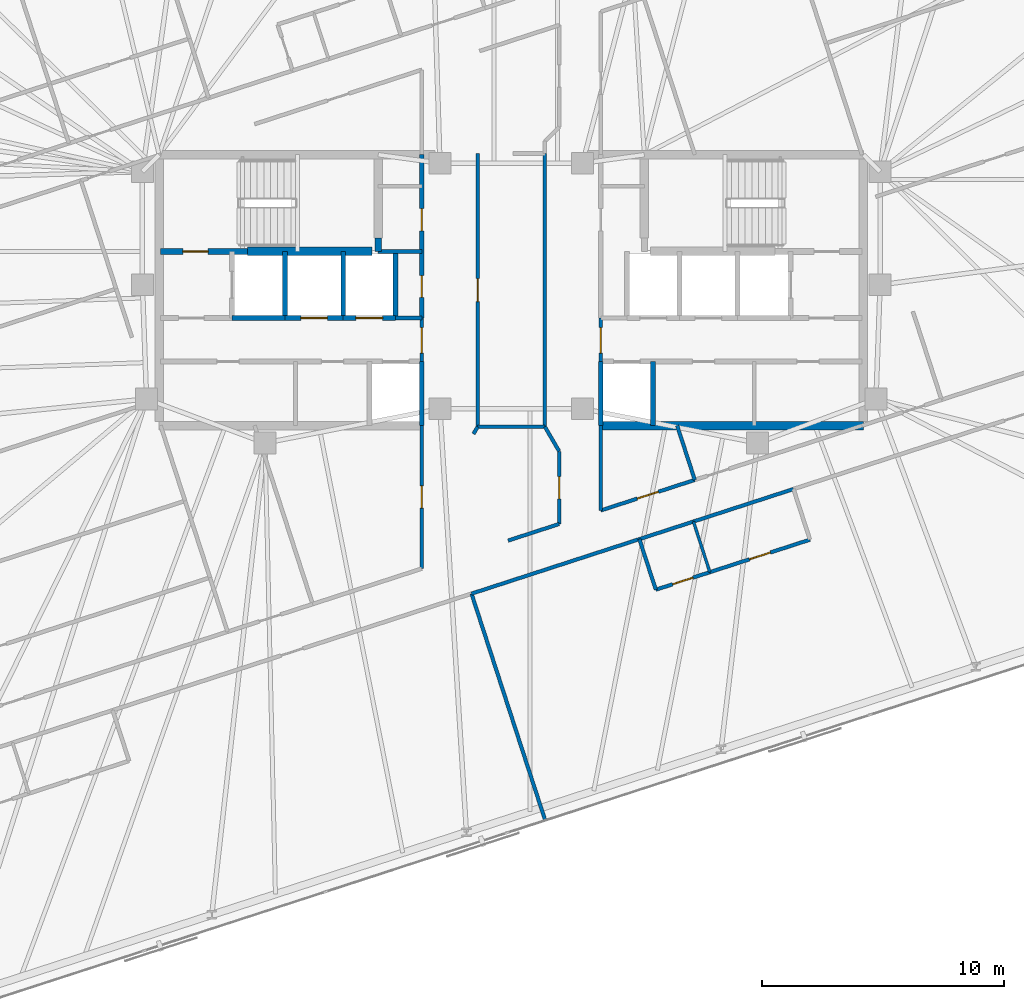
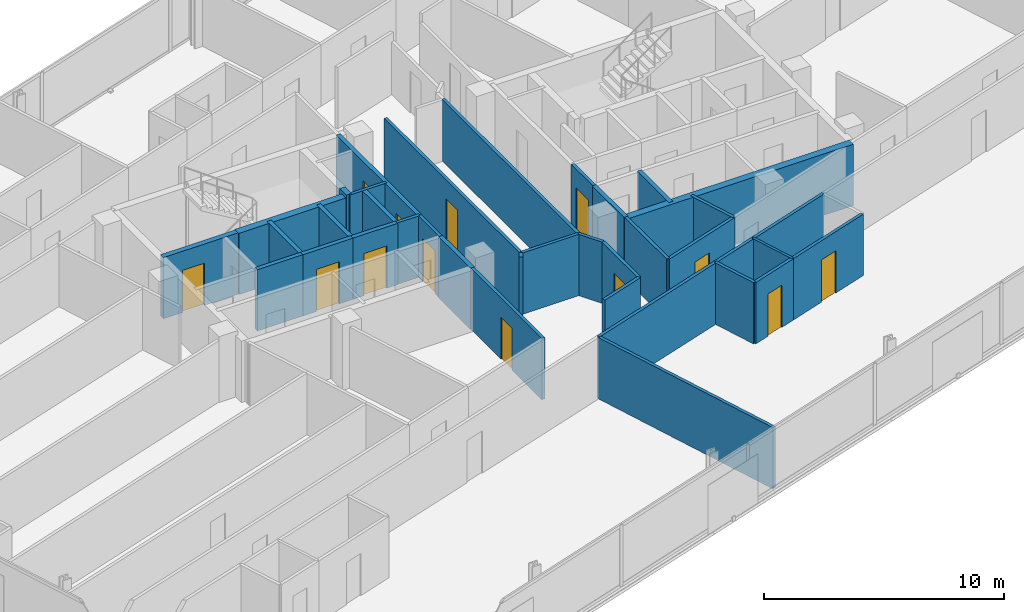
# One storey, part 14 of 19: 37 walls, 13 doors, 13 openings.
"""IFC4 building model written with IfcOpenShell, lengths in metres."""

from ifc_helpers import new_model, si_unit, direction, frame, frame_2d, origin, place, context, subcontext, project, spatial, rectangle, extrude, material, layer, layer_set, type_object, element, fill, save


model = new_model("IFC4")

# Units and contexts
model_context = context("Model", 3, precision=1e-05, world=origin(), true_north=direction((0.0, 1.0)))
body_context = subcontext(model_context, "Body", "Model", "MODEL_VIEW")
ifc_project = project(units=[si_unit("LENGTHUNIT", "METRE"), si_unit("AREAUNIT", "SQUARE_METRE"), si_unit("VOLUMEUNIT", "CUBIC_METRE"), si_unit("PLANEANGLEUNIT", "RADIAN"), si_unit("MASSUNIT", "GRAM", prefix="KILO")], contexts=[model_context])

# Site, building, storey
site_placement = place(None, origin())
site = spatial("IfcSite", under=ifc_project, at=site_placement, CompositionType="ELEMENT")
building_placement = place(site_placement, origin())
building = spatial("IfcBuilding", under=site, at=building_placement, Name="Menara Jurai Vektor", CompositionType="ELEMENT")
storey_placement = place(building_placement, frame((0.0, 0.0, 231.0)))
storey = spatial("IfcBuildingStorey", under=building, at=storey_placement, Name="L61", CompositionType="ELEMENT", Elevation=231.0)

# Wall, opening, door
ifc_material_1 = material(Name="Concrete C40/50", Category="concrete")
ifc_layer_1 = layer(ifc_material_1, 0.25)
ifc_layer_set_1 = layer_set([ifc_layer_1], Name="Concrete C40/50")
wall_type_1 = type_object("IfcWallType", Name="INT-WALL-CORE-250", PredefinedType="STANDARD", material=ifc_layer_set_1)
wall_1_placement = place(storey_placement, frame((-14.5, 1.60009765625, 0.0), z_axis=(0.0, 0.0, 1.0), x_axis=(1.0, 0.0, 0.0)))
wall_1 = element("IfcWall", 1, at=wall_1_placement, inside=storey, type_object=wall_type_1, Name="Interior Wall IW-250 L61", PredefinedType="STANDARD", context=body_context, shape_type="SweptSolid", body=[
    extrude(rectangle(XDim=3.60009765625, YDim=0.25, at=frame_2d((1.800048828125, 0.0))), origin(), (0.0, 0.0, 1.0), 3.125),
])
opening_1_placement = place(wall_1_placement, frame((0.919921875, 0.0, 0.0)))
opening_1 = element("IfcOpeningElement", 2, at=opening_1_placement, cuts=wall_1, Name="Opening D-L61-ST1", PredefinedType="OPENING", context=body_context, shape_type="SweptSolid", body=[
    extrude(rectangle(XDim=1.050048828125, YDim=2.14990234375, at=frame_2d((0.52490234375, 1.074951171875))), frame((0.0, 0.135009765625, 0.0), z_axis=(0.0, -1.0, 0.0), x_axis=(1.0, 0.0, 0.0)), (0.0, 0.0, 1.0), 0.27001953125),
])
ifc_material_2 = material(Name="Fire-Rated Steel Door", Category="steel")
door_type_1 = type_object("IfcDoorType", Name="DR-STAIR-1050", OperationType="NOTDEFINED", PredefinedType="DOOR", material=ifc_material_2)
door_1_placement = place(opening_1_placement, origin())
door_1 = element("IfcDoor", 3, at=door_1_placement, inside=storey, type_object=door_type_1, Name="Exit Stair ST1 Door L61", OperationType="SINGLE_SWING_RIGHT", OverallHeight=2.14990234375, OverallWidth=1.050048828125, PredefinedType="DOOR", context=body_context, shape_type="SweptSolid", body=[
    extrude(rectangle(XDim=1.050048828125, YDim=2.14990234375, at=frame_2d((0.52490234375, 1.074951171875))), frame((0.0, 0.02490234375, 0.0), z_axis=(0.0, -1.0, 0.0), x_axis=(1.0, 0.0, 0.0)), (0.0, 0.0, 1.0), 0.050048828125),
])
fill(opening_1, door_1)

# Walls
wall_2_placement = place(storey_placement, frame((-5.5, 1.60009765625, 0.0), z_axis=(0.0, 0.0, 1.0), x_axis=(0.0, 1.0, 0.0)))
element("IfcWall", 4, at=wall_2_placement, inside=storey, type_object=wall_type_1, Name="Interior Wall IW-250 L61", PredefinedType="STANDARD", context=body_context, shape_type="SweptSolid", body=[
    extrude(rectangle(XDim=0.5498046875, YDim=0.25, at=frame_2d((0.27490234375, 0.0))), origin(), (0.0, 0.0, 1.0), 3.125),
])
wall_3_placement = place(storey_placement, frame((-9.35009765625, -1.14990234375, 0.0), z_axis=(0.0, 0.0, 1.0), x_axis=(0.0, 1.0, 0.0)))
element("IfcWall", 5, at=wall_3_placement, inside=storey, type_object=wall_type_1, Name="Interior Wall IW-250 L61", PredefinedType="STANDARD", context=body_context, shape_type="SweptSolid", body=[
    extrude(rectangle(XDim=2.75, YDim=0.199951171875, at=frame_2d((1.375, 0.0))), origin(), (0.0, 0.0, 1.0), 3.125),
])
wall_4_placement = place(storey_placement, frame((-11.550048828125, -1.14990234375, 0.0), z_axis=(0.0, 0.0, 1.0), x_axis=(1.0, 0.0, 0.0)))
element("IfcWall", 6, at=wall_4_placement, inside=storey, type_object=wall_type_1, Name="Interior Wall IW-250 L61", PredefinedType="STANDARD", context=body_context, shape_type="SweptSolid", body=[
    extrude(rectangle(XDim=2.199951171875, YDim=0.199951171875, at=frame_2d((1.10009765625, 0.0))), origin(), (0.0, 0.0, 1.0), 3.125),
])

# Wall, opening, door
ifc_material_3 = material(Name="Gypsum Fireboard Partition", Category="gypsum")
ifc_layer_2 = layer(ifc_material_3, 0.14990234375)
ifc_layer_set_2 = layer_set([ifc_layer_2], Name="Gypsum Fireboard Partition")
wall_type_2 = type_object("IfcWallType", Name="INT-WALL-CORR-150", PredefinedType="PARTITIONING", material=ifc_layer_set_2)
wall_5_placement = place(storey_placement, frame((-3.699951171875, -2.949951171875, 0.0), z_axis=(0.0, 0.0, 1.0), x_axis=(0.0, 1.0, 0.0)))
wall_5 = element("IfcWall", 7, at=wall_5_placement, inside=storey, type_object=wall_type_2, Name="Interior Wall IW-150 L61", PredefinedType="PARTITIONING", context=body_context, shape_type="SweptSolid", body=[
    extrude(rectangle(XDim=1.800048828125, YDim=0.14990234375, at=frame_2d((0.89990234375, 0.0))), origin(), (0.0, 0.0, 1.0), 3.125),
])
opening_2_placement = place(wall_5_placement, frame((0.35009765625, 0.0, 0.0)))
opening_2 = element("IfcOpeningElement", 8, at=opening_2_placement, cuts=wall_5, Name="Opening D-L61-LLW", PredefinedType="OPENING", context=body_context, shape_type="SweptSolid", body=[
    extrude(rectangle(XDim=1.050048828125, YDim=2.179931640625, at=frame_2d((0.52490234375, 1.08984375))), frame((0.0, 0.0849609375, 0.0), z_axis=(0.0, -1.0, 0.0), x_axis=(1.0, 0.0, 0.0)), (0.0, 0.0, 1.0), 0.169921875),
])
ifc_material_4 = material(Name="Fire-Rated Timber Door", Category="wood")
door_type_2 = type_object("IfcDoorType", Name="DR-LOBBY-1050", OperationType="NOTDEFINED", PredefinedType="DOOR", material=ifc_material_4)
door_2_placement = place(opening_2_placement, origin())
door_2 = element("IfcDoor", 9, at=door_2_placement, inside=storey, type_object=door_type_2, Name="Lift Lobby Corridor Door W L61", OperationType="SINGLE_SWING_LEFT", OverallHeight=2.179931640625, OverallWidth=1.050048828125, PredefinedType="DOOR", context=body_context, shape_type="SweptSolid", body=[
    extrude(rectangle(XDim=1.050048828125, YDim=2.179931640625, at=frame_2d((0.52490234375, 1.08984375))), frame((0.0, 0.02490234375, 0.0), z_axis=(0.0, -1.0, 0.0), x_axis=(1.0, 0.0, 0.0)), (0.0, 0.0, 1.0), 0.050048828125),
])
fill(opening_2, door_2)

# Wall
wall_6_placement = place(storey_placement, frame((-4.7900390625, -1.14990234375, 0.0), z_axis=(0.0, 0.0, 1.0), x_axis=(1.0, 0.0, 0.0)))
element("IfcWall", 10, at=wall_6_placement, inside=storey, type_object=wall_type_2, Name="Interior Wall IW-150 L61", PredefinedType="PARTITIONING", context=body_context, shape_type="SweptSolid", body=[
    extrude(rectangle(XDim=1.090087890625, YDim=0.14990234375, at=frame_2d((0.544921875, 0.0))), origin(), (0.0, 0.0, 1.0), 3.125),
])

# Wall, opening, door
wall_7_placement = place(storey_placement, frame((3.699951171875, -2.949951171875, 0.0), z_axis=(0.0, 0.0, 1.0), x_axis=(0.0, 1.0, 0.0)))
wall_7 = element("IfcWall", 11, at=wall_7_placement, inside=storey, type_object=wall_type_2, Name="Interior Wall IW-150 L61", PredefinedType="PARTITIONING", context=body_context, shape_type="SweptSolid", body=[
    extrude(rectangle(XDim=1.800048828125, YDim=0.14990234375, at=frame_2d((0.89990234375, 0.0))), origin(), (0.0, 0.0, 1.0), 3.125),
])
opening_3_placement = place(wall_7_placement, frame((0.35009765625, 0.0, 0.0)))
opening_3 = element("IfcOpeningElement", 12, at=opening_3_placement, cuts=wall_7, Name="Opening D-L61-LLE", PredefinedType="OPENING", context=body_context, shape_type="SweptSolid", body=[
    extrude(rectangle(XDim=1.050048828125, YDim=2.179931640625, at=frame_2d((0.52490234375, 1.08984375))), frame((0.0, 0.0849609375, 0.0), z_axis=(0.0, -1.0, 0.0), x_axis=(1.0, 0.0, 0.0)), (0.0, 0.0, 1.0), 0.169921875),
])
door_3_placement = place(opening_3_placement, frame((1.050048828125, 0.0, 0.0), z_axis=(0.0, 0.0, 1.0), x_axis=(-1.0, 0.0, 0.0)))
door_3 = element("IfcDoor", 13, at=door_3_placement, inside=storey, type_object=door_type_2, Name="Lift Lobby Corridor Door E L61", OperationType="SINGLE_SWING_RIGHT", OverallHeight=2.179931640625, OverallWidth=1.050048828125, PredefinedType="DOOR", context=body_context, shape_type="SweptSolid", body=[
    extrude(rectangle(XDim=1.050048828125, YDim=2.179931640625, at=frame_2d((0.52490234375, 1.08984375))), frame((0.0, 0.02490234375, 0.0), z_axis=(0.0, -1.0, 0.0), x_axis=(1.0, 0.0, 0.0)), (0.0, 0.0, 1.0), 0.050048828125),
])
fill(opening_3, door_3)

# Wall
wall_8_placement = place(storey_placement, frame((-5.5, 1.60009765625, 0.0), z_axis=(0.0, 0.0, 1.0), x_axis=(1.0, 0.0, 0.0)))
element("IfcWall", 14, at=wall_8_placement, inside=storey, type_object=wall_type_2, Name="Interior Wall IW-150 L61", PredefinedType="PARTITIONING", context=body_context, shape_type="SweptSolid", body=[
    extrude(rectangle(XDim=1.800048828125, YDim=0.14990234375, at=frame_2d((0.89990234375, 0.0))), origin(), (0.0, 0.0, 1.0), 3.125),
])

# Wall, opening, door
wall_9_placement = place(storey_placement, frame((-1.390625, -5.650146484375, 0.0), z_axis=(0.0, 0.0, 1.0), x_axis=(-8.6422954e-05, 0.999999996266, 0.0)))
wall_9 = element("IfcWall", 15, at=wall_9_placement, inside=storey, type_object=wall_type_2, Name="Interior Wall IW-150 L61", PredefinedType="PARTITIONING", context=body_context, shape_type="SweptSolid", body=[
    extrude(rectangle(XDim=11.2998046875, YDim=0.14990234375, at=frame_2d((5.64990234375, 0.0))), origin(), (0.0, 0.0, 1.0), 3.125),
])
opening_4_placement = place(wall_9_placement, frame((5.1748046875, 0.0, 0.0)))
opening_4 = element("IfcOpeningElement", 16, at=opening_4_placement, cuts=wall_9, Name="Opening D61-08", PredefinedType="OPENING", context=body_context, shape_type="SweptSolid", body=[
    extrude(rectangle(XDim=0.949951171875, YDim=2.14990234375, at=frame_2d((0.47509765625, 1.074951171875))), frame((0.0, 0.0849609375, 0.0), z_axis=(0.0, -1.0, 0.0), x_axis=(1.0, 0.0, 0.0)), (0.0, 0.0, 1.0), 0.169921875),
])
ifc_material_5 = material(Name="Solid Core Timber Fire Door", Category="wood")
door_type_3 = type_object("IfcDoorType", Name="DR-ENTRY-950", OperationType="NOTDEFINED", PredefinedType="DOOR", material=ifc_material_5)
door_4_placement = place(opening_4_placement, origin())
door_4 = element("IfcDoor", 17, at=door_4_placement, inside=storey, type_object=door_type_3, Name="Interior Door D61-08", OperationType="SINGLE_SWING_LEFT", OverallHeight=2.14990234375, OverallWidth=0.949951171875, PredefinedType="DOOR", context=body_context, shape_type="SweptSolid", body=[
    extrude(rectangle(XDim=0.949951171875, YDim=2.14990234375, at=frame_2d((0.47509765625, 1.074951171875))), frame((0.0, 0.02490234375, 0.0), z_axis=(0.0, -1.0, 0.0), x_axis=(1.0, 0.0, 0.0)), (0.0, 0.0, 1.0), 0.050048828125),
])
fill(opening_4, door_4)

# Walls
wall_10_placement = place(storey_placement, frame((1.39111328125, -5.6484375, 0.0), z_axis=(0.0, 0.0, 1.0), x_axis=(-4.3218947e-05, 0.999999999066, 0.0)))
element("IfcWall", 18, at=wall_10_placement, inside=storey, type_object=wall_type_2, Name="Interior Wall IW-150 L61", PredefinedType="PARTITIONING", context=body_context, shape_type="SweptSolid", body=[
    extrude(rectangle(XDim=11.2978515625, YDim=0.14990234375, at=frame_2d((5.64892578125, 0.0))), origin(), (0.0, 0.0, 1.0), 3.125),
])
wall_11_placement = place(storey_placement, frame((-1.643310546875, -12.548828125, 0.0), z_axis=(0.0, 0.0, 1.0), x_axis=(0.951058161173, 0.309011931914, 0.0)))
element("IfcWall", 19, at=wall_11_placement, inside=storey, type_object=wall_type_2, Name="Interior Wall IW-150 L61", PredefinedType="PARTITIONING", context=body_context, shape_type="SweptSolid", body=[
    extrude(rectangle(XDim=7.297119140625, YDim=0.14990234375, at=frame_2d((3.6484375, 0.0))), origin(), (0.0, 0.0, 1.0), 3.125),
])
wall_12_placement = place(storey_placement, frame((5.296630859375, -10.2939453125, 0.0), z_axis=(0.0, 0.0, 1.0), x_axis=(0.951066131077, 0.308987401554, 0.0)))
element("IfcWall", 20, at=wall_12_placement, inside=storey, type_object=wall_type_2, Name="Interior Wall IW-150 L61", PredefinedType="PARTITIONING", context=body_context, shape_type="SweptSolid", body=[
    extrude(rectangle(XDim=2.349853515625, YDim=0.14990234375, at=frame_2d((1.1748046875, 0.0))), origin(), (0.0, 0.0, 1.0), 3.125),
])
wall_13_placement = place(storey_placement, frame((7.531494140625, -9.56787109375, 0.0), z_axis=(0.0, 0.0, 1.0), x_axis=(0.951041492154, 0.309063230101, 0.0)))
element("IfcWall", 21, at=wall_13_placement, inside=storey, type_object=wall_type_2, Name="Interior Wall IW-150 L61", PredefinedType="PARTITIONING", context=body_context, shape_type="SweptSolid", body=[
    extrude(rectangle(XDim=4.35009765625, YDim=0.14990234375, at=frame_2d((2.175048828125, 0.0))), origin(), (0.0, 0.0, 1.0), 3.125),
])
wall_14_placement = place(storey_placement, frame((3.700439453125, -9.109130859375, 0.0), z_axis=(0.0, 0.0, 1.0), x_axis=(-0.000139130433, 0.999999990321, 0.0)))
element("IfcWall", 22, at=wall_14_placement, inside=storey, type_object=wall_type_2, Name="Interior Wall IW-150 L61", PredefinedType="PARTITIONING", context=body_context, shape_type="SweptSolid", body=[
    extrude(rectangle(XDim=3.509521484375, YDim=0.14990234375, at=frame_2d((1.7548828125, 0.0))), origin(), (0.0, 0.0, 1.0), 3.125),
])

# Wall, opening, door
wall_15_placement = place(storey_placement, frame((3.700439453125, -9.109130859375, 0.0), z_axis=(0.0, 0.0, 1.0), x_axis=(0.95106259184, 0.308998295145, 0.0)))
wall_15 = element("IfcWall", 23, at=wall_15_placement, inside=storey, type_object=wall_type_2, Name="Interior Wall IW-150 L61", PredefinedType="PARTITIONING", context=body_context, shape_type="SweptSolid", body=[
    extrude(rectangle(XDim=4.087890625, YDim=0.14990234375, at=frame_2d((2.0439453125, 0.0))), origin(), (0.0, 0.0, 1.0), 3.125),
])
opening_5_placement = place(wall_15_placement, frame((1.583984375, 0.0, 0.0)))
opening_5 = element("IfcOpeningElement", 24, at=opening_5_placement, cuts=wall_15, Name="Opening D61-28", PredefinedType="OPENING", context=body_context, shape_type="SweptSolid", body=[
    extrude(rectangle(XDim=0.919921875, YDim=2.14990234375, at=frame_2d((0.4599609375, 1.074951171875))), frame((0.0, 0.0849609375, 0.0), z_axis=(0.0, -1.0, 0.0), x_axis=(1.0, 0.0, 0.0)), (0.0, 0.0, 1.0), 0.169921875),
])
door_5_placement = place(opening_5_placement, origin())
door_5 = element("IfcDoor", 25, at=door_5_placement, inside=storey, type_object=door_type_3, Name="Interior Door D61-28", OperationType="SINGLE_SWING_LEFT", OverallHeight=2.14990234375, OverallWidth=0.919921875, PredefinedType="DOOR", context=body_context, shape_type="SweptSolid", body=[
    extrude(rectangle(XDim=0.919921875, YDim=2.14990234375, at=frame_2d((0.4599609375, 1.074951171875))), frame((0.0, 0.02490234375, 0.0), z_axis=(0.0, -1.0, 0.0), x_axis=(1.0, 0.0, 0.0)), (0.0, 0.0, 1.0), 0.050048828125),
])
fill(opening_5, door_5)

# Walls
wall_16_placement = place(storey_placement, frame((-0.12939453125, -10.353515625, 0.0), z_axis=(0.0, 0.0, 1.0), x_axis=(0.951066420845, 0.308986509643, 0.0)))
element("IfcWall", 26, at=wall_16_placement, inside=storey, type_object=wall_type_2, Name="Interior Wall IW-150 L61", PredefinedType="PARTITIONING", context=body_context, shape_type="SweptSolid", body=[
    extrude(rectangle(XDim=2.218017578125, YDim=0.14990234375, at=frame_2d((1.10888671875, 0.0))), origin(), (0.0, 0.0, 1.0), 3.125),
])
wall_17_placement = place(storey_placement, frame((-1.5625, -5.943603515625, 0.0), z_axis=(0.0, 0.0, 1.0), x_axis=(0.505387839696, 0.862892305845, 0.0)))
element("IfcWall", 27, at=wall_17_placement, inside=storey, type_object=wall_type_2, Name="Interior Wall IW-150 L61", PredefinedType="PARTITIONING", context=body_context, shape_type="SweptSolid", body=[
    extrude(rectangle(XDim=0.340087890625, YDim=0.14990234375, at=frame_2d((0.169921875, 0.0))), origin(), (0.0, 0.0, 1.0), 3.125),
])

# Wall, opening, door
wall_18_placement = place(storey_placement, frame((1.97998046875, -9.668212890625, 0.0), z_axis=(0.0, 0.0, 1.0), x_axis=(8.1241368e-05, 0.9999999967, 0.0)))
wall_18 = element("IfcWall", 28, at=wall_18_placement, inside=storey, type_object=wall_type_2, Name="Interior Wall IW-150 L61", PredefinedType="PARTITIONING", context=body_context, shape_type="SweptSolid", body=[
    extrude(rectangle(XDim=3.005126953125, YDim=0.14990234375, at=frame_2d((1.50244140625, 0.0))), origin(), (0.0, 0.0, 1.0), 3.125),
])
opening_6_placement = place(wall_18_placement, frame((1.04248046875, 0.0, 0.0)))
opening_6 = element("IfcOpeningElement", 29, at=opening_6_placement, cuts=wall_18, Name="Opening D61-30", PredefinedType="OPENING", context=body_context, shape_type="SweptSolid", body=[
    extrude(rectangle(XDim=0.919921875, YDim=2.14990234375, at=frame_2d((0.4599609375, 1.074951171875))), frame((0.0, 0.0849609375, 0.0), z_axis=(0.0, -1.0, 0.0), x_axis=(1.0, 0.0, 0.0)), (0.0, 0.0, 1.0), 0.169921875),
])
door_6_placement = place(opening_6_placement, origin())
door_6 = element("IfcDoor", 30, at=door_6_placement, inside=storey, type_object=door_type_3, Name="Interior Door D61-30", OperationType="SINGLE_SWING_LEFT", OverallHeight=2.14990234375, OverallWidth=0.919921875, PredefinedType="DOOR", context=body_context, shape_type="SweptSolid", body=[
    extrude(rectangle(XDim=0.919921875, YDim=2.14990234375, at=frame_2d((0.4599609375, 1.074951171875))), frame((0.0, 0.02490234375, 0.0), z_axis=(0.0, -1.0, 0.0), x_axis=(1.0, 0.0, 0.0)), (0.0, 0.0, 1.0), 0.050048828125),
])
fill(opening_6, door_6)

# Wall
wall_19_placement = place(storey_placement, frame((1.391357421875, -5.6494140625, 0.0), z_axis=(0.0, 0.0, 1.0), x_axis=(0.502522642426, -0.864564048437, 0.0)))
element("IfcWall", 31, at=wall_19_placement, inside=storey, type_object=wall_type_2, Name="Interior Wall IW-150 L61", PredefinedType="PARTITIONING", context=body_context, shape_type="SweptSolid", body=[
    extrude(rectangle(XDim=1.17138671875, YDim=0.14990234375, at=frame_2d((0.585693359375, 0.0))), origin(), (0.0, 0.0, 1.0), 3.125),
])

# Wall, opening, door
wall_20_placement = place(storey_placement, frame((-3.69970703125, -11.513671875, 0.0), z_axis=(0.0, 0.0, 1.0), x_axis=(-8.2572974e-05, 0.999999996591, 0.0)))
wall_20 = element("IfcWall", 32, at=wall_20_placement, inside=storey, type_object=wall_type_2, Name="Interior Wall IW-150 L61", PredefinedType="PARTITIONING", context=body_context, shape_type="SweptSolid", body=[
    extrude(rectangle(XDim=5.913330078125, YDim=0.14990234375, at=frame_2d((2.95654296875, 0.0))), origin(), (0.0, 0.0, 1.0), 3.125),
])
opening_7_placement = place(wall_20_placement, frame((2.49658203125, 0.0, 0.0)))
opening_7 = element("IfcOpeningElement", 33, at=opening_7_placement, cuts=wall_20, Name="Opening D61-33", PredefinedType="OPENING", context=body_context, shape_type="SweptSolid", body=[
    extrude(rectangle(XDim=0.919921875, YDim=2.14990234375, at=frame_2d((0.4599609375, 1.074951171875))), frame((0.0, 0.0849609375, 0.0), z_axis=(0.0, -1.0, 0.0), x_axis=(1.0, 0.0, 0.0)), (0.0, 0.0, 1.0), 0.169921875),
])
door_7_placement = place(opening_7_placement, origin())
door_7 = element("IfcDoor", 34, at=door_7_placement, inside=storey, type_object=door_type_3, Name="Interior Door D61-33", OperationType="SINGLE_SWING_RIGHT", OverallHeight=2.14990234375, OverallWidth=0.919921875, PredefinedType="DOOR", context=body_context, shape_type="SweptSolid", body=[
    extrude(rectangle(XDim=0.919921875, YDim=2.14990234375, at=frame_2d((0.4599609375, 1.074951171875))), frame((0.0, 0.02490234375, 0.0), z_axis=(0.0, -1.0, 0.0), x_axis=(1.0, 0.0, 0.0)), (0.0, 0.0, 1.0), 0.050048828125),
])
fill(opening_7, door_7)

# Walls
wall_21_placement = place(storey_placement, frame((-1.390625, -5.650146484375, 0.0), z_axis=(0.0, 0.0, 1.0), x_axis=(0.999999965344, 0.000263273356, 0.0)))
element("IfcWall", 35, at=wall_21_placement, inside=storey, type_object=wall_type_2, Name="Interior Wall IW-150 L61", PredefinedType="PARTITIONING", context=body_context, shape_type="SweptSolid", body=[
    extrude(rectangle(XDim=2.781982421875, YDim=0.14990234375, at=frame_2d((1.39111328125, 0.0))), origin(), (0.0, 0.0, 1.0), 3.125),
])
wall_22_placement = place(storey_placement, frame((1.404296875, -21.92822265625, 0.0), z_axis=(0.0, 0.0, 1.0), x_axis=(-0.309022258842, 0.95105480575, 0.0)))
element("IfcWall", 36, at=wall_22_placement, inside=storey, type_object=wall_type_2, Name="Interior Wall IW-150 L61", PredefinedType="PARTITIONING", context=body_context, shape_type="SweptSolid", body=[
    extrude(rectangle(XDim=9.862060546875, YDim=0.14990234375, at=frame_2d((4.93115234375, 0.0))), origin(), (0.0, 0.0, 1.0), 3.125),
])
wall_23_placement = place(storey_placement, frame((5.9765625, -12.38623046875, 0.0), z_axis=(0.0, 0.0, 1.0), x_axis=(-0.309060979314, 0.951042223598, 0.0)))
element("IfcWall", 37, at=wall_23_placement, inside=storey, type_object=wall_type_2, Name="Interior Wall IW-150 L61", PredefinedType="PARTITIONING", context=body_context, shape_type="SweptSolid", body=[
    extrude(rectangle(XDim=2.199951171875, YDim=0.14990234375, at=frame_2d((1.10009765625, 0.0))), origin(), (0.0, 0.0, 1.0), 3.125),
])

# Wall, opening, door
wall_24_placement = place(storey_placement, frame((5.9765625, -12.38623046875, 0.0), z_axis=(0.0, 0.0, 1.0), x_axis=(0.951066131077, 0.308987401554, 0.0)))
wall_24 = element("IfcWall", 38, at=wall_24_placement, inside=storey, type_object=wall_type_2, Name="Interior Wall IW-150 L61", PredefinedType="PARTITIONING", context=body_context, shape_type="SweptSolid", body=[
    extrude(rectangle(XDim=2.349853515625, YDim=0.14990234375, at=frame_2d((1.1748046875, 0.0))), origin(), (0.0, 0.0, 1.0), 3.125),
])
opening_8_placement = place(wall_24_placement, frame((0.735107421875, 0.0, 0.0)))
opening_8 = element("IfcOpeningElement", 39, at=opening_8_placement, cuts=wall_24, Name="Opening D61-19", PredefinedType="OPENING", context=body_context, shape_type="SweptSolid", body=[
    extrude(rectangle(XDim=0.8798828125, YDim=2.14990234375, at=frame_2d((0.43994140625, 1.074951171875))), frame((0.0, 0.0849609375, 0.0), z_axis=(0.0, -1.0, 0.0), x_axis=(1.0, 0.0, 0.0)), (0.0, 0.0, 1.0), 0.169921875),
])
ifc_material_6 = material(Name="Moisture-Resistant Timber Door", Category="wood")
door_type_4 = type_object("IfcDoorType", Name="DR-BATH-880", OperationType="NOTDEFINED", PredefinedType="DOOR", material=ifc_material_6)
door_8_placement = place(opening_8_placement, origin())
door_8 = element("IfcDoor", 40, at=door_8_placement, inside=storey, type_object=door_type_4, Name="Interior Door D61-19", OperationType="SINGLE_SWING_RIGHT", OverallHeight=2.14990234375, OverallWidth=0.8798828125, PredefinedType="DOOR", context=body_context, shape_type="SweptSolid", body=[
    extrude(rectangle(XDim=0.8798828125, YDim=2.14990234375, at=frame_2d((0.43994140625, 1.074951171875))), frame((0.0, 0.02490234375, 0.0), z_axis=(0.0, -1.0, 0.0), x_axis=(1.0, 0.0, 0.0)), (0.0, 0.0, 1.0), 0.050048828125),
])
fill(opening_8, door_8)

wall_25_placement = place(storey_placement, frame((8.21142578125, -11.66015625, 0.0), z_axis=(0.0, 0.0, 1.0), x_axis=(0.951057987102, 0.309012467661, 0.0)))
wall_25 = element("IfcWall", 41, at=wall_25_placement, inside=storey, type_object=wall_type_2, Name="Interior Wall IW-150 L61", PredefinedType="PARTITIONING", context=body_context, shape_type="SweptSolid", body=[
    extrude(rectangle(XDim=4.35009765625, YDim=0.14990234375, at=frame_2d((2.175048828125, 0.0))), origin(), (0.0, 0.0, 1.0), 3.125),
])
opening_9_placement = place(wall_25_placement, frame((1.72509765625, 0.0, 0.0)))
opening_9 = element("IfcOpeningElement", 42, at=opening_9_placement, cuts=wall_25, Name="Opening D61-20", PredefinedType="OPENING", context=body_context, shape_type="SweptSolid", body=[
    extrude(rectangle(XDim=0.89990234375, YDim=2.14990234375, at=frame_2d((0.449951171875, 1.074951171875))), frame((0.0, 0.0849609375, 0.0), z_axis=(0.0, -1.0, 0.0), x_axis=(1.0, 0.0, 0.0)), (0.0, 0.0, 1.0), 0.169921875),
])
ifc_material_7 = material(Name="Acoustic Timber Interior Door", Category="wood")
door_type_5 = type_object("IfcDoorType", Name="DR-ROOM-900", OperationType="NOTDEFINED", PredefinedType="DOOR", material=ifc_material_7)
door_9_placement = place(opening_9_placement, origin())
door_9 = element("IfcDoor", 43, at=door_9_placement, inside=storey, type_object=door_type_5, Name="Interior Door D61-20", OperationType="SINGLE_SWING_LEFT", OverallHeight=2.14990234375, OverallWidth=0.89990234375, PredefinedType="DOOR", context=body_context, shape_type="SweptSolid", body=[
    extrude(rectangle(XDim=0.89990234375, YDim=2.14990234375, at=frame_2d((0.449951171875, 1.074951171875))), frame((0.0, 0.02490234375, 0.0), z_axis=(0.0, -1.0, 0.0), x_axis=(1.0, 0.0, 0.0)), (0.0, 0.0, 1.0), 0.050048828125),
])
fill(opening_9, door_9)

# Walls
wall_26_placement = place(storey_placement, frame((7.58837890625, -7.845947265625, 0.0), z_axis=(0.0, 0.0, 1.0), x_axis=(-0.309055688452, 0.951043942957, 0.0)))
element("IfcWall", 44, at=wall_26_placement, inside=storey, type_object=wall_type_2, Name="Interior Wall IW-150 L61", PredefinedType="PARTITIONING", context=body_context, shape_type="SweptSolid", body=[
    extrude(rectangle(XDim=2.362060546875, YDim=0.14990234375, at=frame_2d((1.18115234375, 0.0))), origin(), (0.0, 0.0, 1.0), 3.125),
])
ifc_material_8 = material(Name="Gypsum Acoustic Stud Partition", Category="gypsum")
ifc_layer_3 = layer(ifc_material_8, 0.1201171875)
ifc_layer_set_3 = layer_set([ifc_layer_3], Name="Gypsum Acoustic Stud Partition")
wall_type_3 = type_object("IfcWallType", Name="INT-WALL-PART-120", PredefinedType="PARTITIONING", material=ifc_layer_set_3)
wall_27_placement = place(storey_placement, frame((8.21142578125, -11.66015625, 0.0), z_axis=(0.0, 0.0, 1.0), x_axis=(-0.309060979314, 0.951042223598, 0.0)))
element("IfcWall", 45, at=wall_27_placement, inside=storey, type_object=wall_type_3, Name="Interior Wall IW-120 L61", PredefinedType="PARTITIONING", context=body_context, shape_type="SweptSolid", body=[
    extrude(rectangle(XDim=2.199951171875, YDim=0.1201171875, at=frame_2d((1.10009765625, 0.0))), origin(), (0.0, 0.0, 1.0), 3.125),
])

# Wall, openings, doors
ifc_layer_4 = layer(ifc_material_1, 0.199951171875)
ifc_layer_set_4 = layer_set([ifc_layer_4], Name="Concrete C40/50")
wall_type_4 = type_object("IfcWallType", Name="INT-WALL-SHAFT-200", PredefinedType="STANDARD", material=ifc_layer_set_4)
wall_28_placement = place(storey_placement, frame((-3.699951171875, -1.14990234375, 0.0), z_axis=(0.0, 0.0, 1.0), x_axis=(0.0, 1.0, 0.0)))
wall_28 = element("IfcWall", 46, at=wall_28_placement, inside=storey, type_object=wall_type_4, Name="Interior Wall IW-200 L61", PredefinedType="STANDARD", context=body_context, shape_type="SweptSolid", body=[
    extrude(rectangle(XDim=6.75, YDim=0.199951171875, at=frame_2d((3.375, 0.0))), origin(), (0.0, 0.0, 1.0), 3.125),
])
opening_10_placement = place(wall_28_placement, frame((3.60009765625, 0.0, 0.0)))
opening_10 = element("IfcOpeningElement", 47, at=opening_10_placement, cuts=wall_28, Name="Opening D61-03", PredefinedType="OPENING", context=body_context, shape_type="SweptSolid", body=[
    extrude(rectangle(XDim=0.919921875, YDim=2.14990234375, at=frame_2d((0.4599609375, 1.074951171875))), frame((0.0, 0.10986328125, 0.0), z_axis=(0.0, -1.0, 0.0), x_axis=(1.0, 0.0, 0.0)), (0.0, 0.0, 1.0), 0.219970703125),
])
opening_11_placement = place(wall_28_placement, frame((0.85009765625, 0.0, 0.0)))
opening_11 = element("IfcOpeningElement", 48, at=opening_11_placement, cuts=wall_28, Name="Opening D61-04", PredefinedType="OPENING", context=body_context, shape_type="SweptSolid", body=[
    extrude(rectangle(XDim=0.89990234375, YDim=2.14990234375, at=frame_2d((0.449951171875, 1.074951171875))), frame((0.0, 0.10986328125, 0.0), z_axis=(0.0, -1.0, 0.0), x_axis=(1.0, 0.0, 0.0)), (0.0, 0.0, 1.0), 0.219970703125),
])
door_10_placement = place(opening_10_placement, origin())
door_10 = element("IfcDoor", 49, at=door_10_placement, inside=storey, type_object=door_type_3, Name="Interior Door D61-03", OperationType="SINGLE_SWING_LEFT", OverallHeight=2.14990234375, OverallWidth=0.919921875, PredefinedType="DOOR", context=body_context, shape_type="SweptSolid", body=[
    extrude(rectangle(XDim=0.919921875, YDim=2.14990234375, at=frame_2d((0.4599609375, 1.074951171875))), frame((0.0, 0.02490234375, 0.0), z_axis=(0.0, -1.0, 0.0), x_axis=(1.0, 0.0, 0.0)), (0.0, 0.0, 1.0), 0.050048828125),
])
fill(opening_10, door_10)
door_11_placement = place(opening_11_placement, origin())
door_11 = element("IfcDoor", 50, at=door_11_placement, inside=storey, type_object=door_type_3, Name="Interior Door D61-04", OperationType="SINGLE_SWING_LEFT", OverallHeight=2.14990234375, OverallWidth=0.89990234375, PredefinedType="DOOR", context=body_context, shape_type="SweptSolid", body=[
    extrude(rectangle(XDim=0.89990234375, YDim=2.14990234375, at=frame_2d((0.449951171875, 1.074951171875))), frame((0.0, 0.02490234375, 0.0), z_axis=(0.0, -1.0, 0.0), x_axis=(1.0, 0.0, 0.0)), (0.0, 0.0, 1.0), 0.050048828125),
])
fill(opening_11, door_11)

# Walls
wall_29_placement = place(storey_placement, frame((-3.699951171875, -5.60009765625, 0.0), z_axis=(0.0, 0.0, 1.0), x_axis=(0.0, 1.0, 0.0)))
element("IfcWall", 51, at=wall_29_placement, inside=storey, type_object=wall_type_4, Name="Interior Wall IW-200 L61", PredefinedType="STANDARD", context=body_context, shape_type="SweptSolid", body=[
    extrude(rectangle(XDim=2.650146484375, YDim=0.199951171875, at=frame_2d((1.3251953125, 0.0))), origin(), (0.0, 0.0, 1.0), 3.125),
])
wall_30_placement = place(storey_placement, frame((-6.949951171875, -1.14990234375, 0.0), z_axis=(0.0, 0.0, 1.0), x_axis=(0.0, 1.0, 0.0)))
element("IfcWall", 52, at=wall_30_placement, inside=storey, type_object=wall_type_4, Name="Interior Wall IW-200 L61", PredefinedType="STANDARD", context=body_context, shape_type="SweptSolid", body=[
    extrude(rectangle(XDim=2.75, YDim=0.199951171875, at=frame_2d((1.375, 0.0))), origin(), (0.0, 0.0, 1.0), 3.125),
])

# Wall, opening, door
wall_31_placement = place(storey_placement, frame((-9.35009765625, -1.14990234375, 0.0), z_axis=(0.0, 0.0, 1.0), x_axis=(1.0, 0.0, 0.0)))
wall_31 = element("IfcWall", 53, at=wall_31_placement, inside=storey, type_object=wall_type_4, Name="Interior Wall IW-200 L61", PredefinedType="STANDARD", context=body_context, shape_type="SweptSolid", body=[
    extrude(rectangle(XDim=2.400146484375, YDim=0.199951171875, at=frame_2d((1.2001953125, 0.0))), origin(), (0.0, 0.0, 1.0), 3.125),
])
opening_12_placement = place(wall_31_placement, frame((0.64990234375, 0.0, 0.0)))
opening_12 = element("IfcOpeningElement", 54, at=opening_12_placement, cuts=wall_31, Name="Opening LD-L61-SVL1", PredefinedType="OPENING", context=body_context, shape_type="SweptSolid", body=[
    extrude(rectangle(XDim=1.10009765625, YDim=2.14990234375, at=frame_2d((0.550048828125, 1.074951171875))), frame((0.0, 0.10986328125, 0.0), z_axis=(0.0, -1.0, 0.0), x_axis=(1.0, 0.0, 0.0)), (0.0, 0.0, 1.0), 0.219970703125),
])
ifc_material_9 = material(Name="Anodised Stainless Sliding Lift Landing Door", Category="steel")
door_type_6 = type_object("IfcDoorType", Name="DR-LIFT-PASS-1100", OperationType="NOTDEFINED", PredefinedType="DOOR", material=ifc_material_9)
door_12_placement = place(opening_12_placement, origin())
door_12 = element("IfcDoor", 55, at=door_12_placement, inside=storey, type_object=door_type_6, Name="Lift Landing Door SVL1 L61", OperationType="SLIDING_TO_RIGHT", OverallHeight=2.14990234375, OverallWidth=1.10009765625, PredefinedType="DOOR", context=body_context, shape_type="SweptSolid", body=[
    extrude(rectangle(XDim=1.10009765625, YDim=2.14990234375, at=frame_2d((0.550048828125, 1.074951171875))), frame((0.0, 0.02490234375, 0.0), z_axis=(0.0, -1.0, 0.0), x_axis=(1.0, 0.0, 0.0)), (0.0, 0.0, 1.0), 0.050048828125),
])
fill(opening_12, door_12)

# Wall
wall_32_placement = place(storey_placement, frame((-4.7900390625, -1.14990234375, 0.0), z_axis=(0.0, 0.0, 1.0), x_axis=(0.0, 1.0, 0.0)))
element("IfcWall", 56, at=wall_32_placement, inside=storey, type_object=wall_type_4, Name="Interior Wall IW-200 L61", PredefinedType="STANDARD", context=body_context, shape_type="SweptSolid", body=[
    extrude(rectangle(XDim=2.75, YDim=0.199951171875, at=frame_2d((1.375, 0.0))), origin(), (0.0, 0.0, 1.0), 3.125),
])

# Wall, opening, door
wall_33_placement = place(storey_placement, frame((-6.949951171875, -1.14990234375, 0.0), z_axis=(0.0, 0.0, 1.0), x_axis=(1.0, 0.0, 0.0)))
wall_33 = element("IfcWall", 57, at=wall_33_placement, inside=storey, type_object=wall_type_4, Name="Interior Wall IW-200 L61", PredefinedType="STANDARD", context=body_context, shape_type="SweptSolid", body=[
    extrude(rectangle(XDim=2.159912109375, YDim=0.199951171875, at=frame_2d((1.080078125, 0.0))), origin(), (0.0, 0.0, 1.0), 3.125),
])
opening_13_placement = place(wall_33_placement, frame((0.530029296875, 0.0, 0.0)))
opening_13 = element("IfcOpeningElement", 58, at=opening_13_placement, cuts=wall_33, Name="Opening LD-L61-PH2", PredefinedType="OPENING", context=body_context, shape_type="SweptSolid", body=[
    extrude(rectangle(XDim=1.10009765625, YDim=2.14990234375, at=frame_2d((0.550048828125, 1.074951171875))), frame((0.0, 0.10986328125, 0.0), z_axis=(0.0, -1.0, 0.0), x_axis=(1.0, 0.0, 0.0)), (0.0, 0.0, 1.0), 0.219970703125),
])
door_13_placement = place(opening_13_placement, origin())
door_13 = element("IfcDoor", 59, at=door_13_placement, inside=storey, type_object=door_type_6, Name="Lift Landing Door PH2 L61", OperationType="SLIDING_TO_RIGHT", OverallHeight=2.14990234375, OverallWidth=1.10009765625, PredefinedType="DOOR", context=body_context, shape_type="SweptSolid", body=[
    extrude(rectangle(XDim=1.10009765625, YDim=2.14990234375, at=frame_2d((0.550048828125, 1.074951171875))), frame((0.0, 0.02490234375, 0.0), z_axis=(0.0, -1.0, 0.0), x_axis=(1.0, 0.0, 0.0)), (0.0, 0.0, 1.0), 0.050048828125),
])
fill(opening_13, door_13)

# Walls
for number, where, z_axis, x_axis, name in (
    (60, (3.699951171875, -5.60009765625, 0.0), (0.0, 0.0, 1.0), (0.0, 1.0, 0.0), "Interior Wall IW-200 L61"),
    (61, (5.860107421875, -5.60009765625, 0.0), (0.0, 0.0, 1.0), (0.0, 1.0, 0.0), "Interior Wall IW-200 L61"),
):
    element("IfcWall", number, at=place(storey_placement, frame(where, z_axis=z_axis, x_axis=x_axis)), inside=storey, type_object=wall_type_4, Name=name, PredefinedType="STANDARD", context=body_context, shape_type="SweptSolid", body=[
        extrude(rectangle(XDim=2.650146484375, YDim=0.199951171875, at=frame_2d((1.3251953125, 0.0))), origin(), (0.0, 0.0, 1.0), 3.125),
    ])
ifc_material_10 = material(Name="Concrete C50/60", Category="concrete")
ifc_layer_5 = layer(ifc_material_10, 0.35009765625)
ifc_layer_set_5 = layer_set([ifc_layer_5], Name="Concrete C50/60")
wall_type_5 = type_object("IfcWallType", Name="STR-WALL-CORE350", PredefinedType="SHEAR", material=ifc_layer_set_5)
wall_34_placement = place(storey_placement, frame((-10.89990234375, 1.60009765625, 0.0), z_axis=(0.0, 0.0, 1.0), x_axis=(1.0, 0.0, 0.0)))
element("IfcWall", 62, at=wall_34_placement, inside=storey, type_object=wall_type_5, Name="Core Shear Wall CW-W-STS L61", PredefinedType="SHEAR", context=body_context, shape_type="SweptSolid", body=[
    extrude(rectangle(XDim=5.14990234375, YDim=0.35009765625, at=frame_2d((2.574951171875, 0.0))), origin(), (0.0, 0.0, 1.0), 3.125),
])
wall_35_placement = place(storey_placement, frame((3.699951171875, -5.60009765625, 0.0), z_axis=(0.0, 0.0, 1.0), x_axis=(1.0, 0.0, 0.0)))
element("IfcWall", 63, at=wall_35_placement, inside=storey, type_object=wall_type_5, Name="Core Shear Wall CW-E-S L61", PredefinedType="SHEAR", context=body_context, shape_type="SweptSolid", body=[
    extrude(rectangle(XDim=10.860107421875, YDim=0.35009765625, at=frame_2d((5.43017578125, 0.0))), origin(), (0.0, 0.0, 1.0), 3.125),
])

save(model, "model.ifc")
